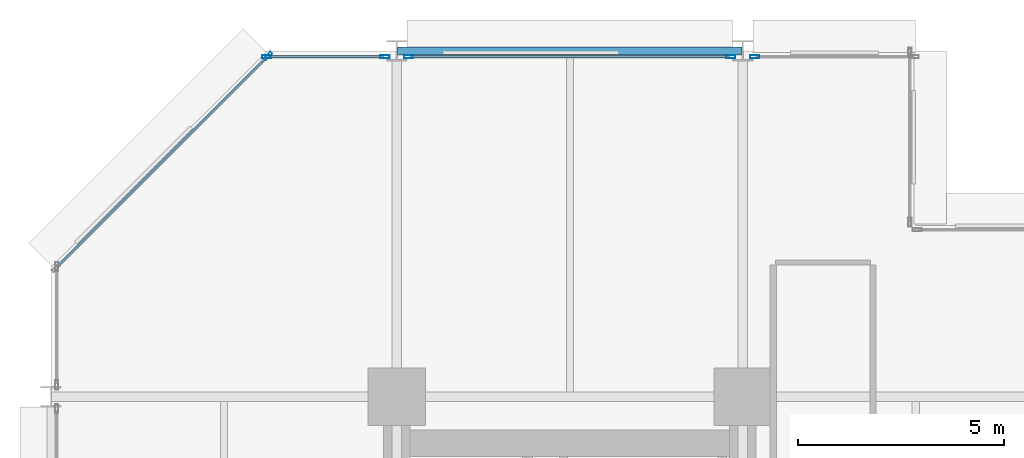
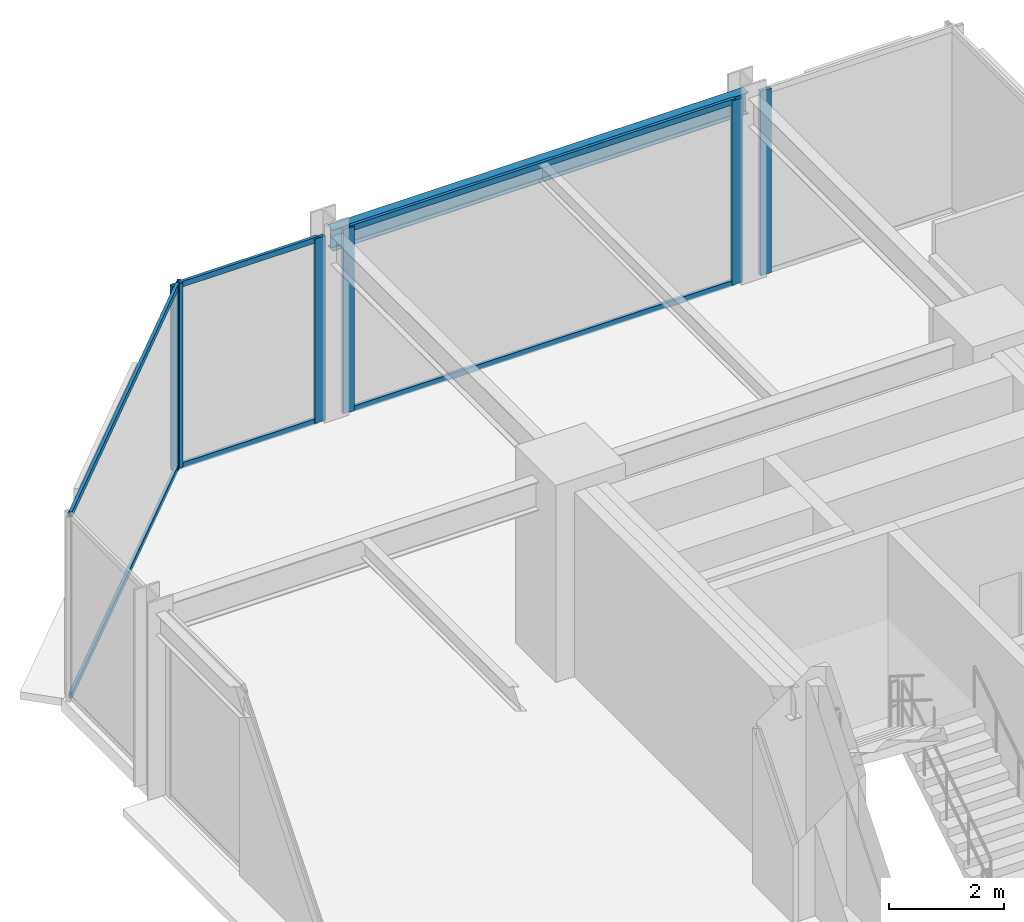
# One storey, part 17 of 25: 12 members, 1 beam, 4 elements without a shape of their own.
"""IFC4 building model written with IfcOpenShell, lengths in metres."""

from ifc_helpers import new_model, si_unit, direction, frame, origin, origin_2d, place, context, subcontext, project, spatial, hollow_rectangle, i_section, extrude, material, layer, layer_set, material_profile, profile_set, type_object, element, aggregate, save


model = new_model("IFC4")

# Units and contexts
model_context = context("Model", 3, precision=1e-05, world=origin(), true_north=direction((0.0, 1.0)))
body_context = subcontext(model_context, "Body", "Model", "MODEL_VIEW")
ifc_project = project(units=[si_unit("LENGTHUNIT", "METRE"), si_unit("AREAUNIT", "SQUARE_METRE"), si_unit("VOLUMEUNIT", "CUBIC_METRE"), si_unit("PLANEANGLEUNIT", "RADIAN"), si_unit("MASSUNIT", "GRAM", prefix="KILO")], contexts=[model_context])

# Site, building, storey
site_placement = place(None, origin())
site = spatial("IfcSite", under=ifc_project, at=site_placement, CompositionType="ELEMENT")
building_placement = place(site_placement, origin())
building = spatial("IfcBuilding", under=site, at=building_placement, Name="Nerrivon Quay Data Exchange", CompositionType="ELEMENT")
storey_placement = place(building_placement, frame((0.0, 0.0, 29.0)))
storey = spatial("IfcBuildingStorey", under=building, at=storey_placement, Name="L06", CompositionType="ELEMENT", Elevation=29.0)

# Beam
ifc_material_1 = material(Name="Steel Grade 350", Category="steel")
ifc_material_profile_1 = material_profile(ifc_material_1, i_section(OverallWidth=0.18994140625, OverallDepth=0.4541015625, WebThickness=0.008544921875, FlangeThickness=0.0126953125, FilletRadius=0.011474609375, at=origin_2d()), Name="460UB67.1")
ifc_profile_set_1 = profile_set([ifc_material_profile_1], Name="Steel Grade 350")
beam_type = type_object("IfcBeamType", Name="BM-SP1-460UB67", PredefinedType="SPANDREL", material=ifc_profile_set_1)
beam_placement = place(storey_placement, frame((8.4140625, 50.39990234375, 3.697998046875), z_axis=(1.0, 0.0, 0.0), x_axis=(0.0, 1.0, 0.0)))
element("IfcBeam", 1, at=beam_placement, inside=storey, type_object=beam_type, Name="L06 EW Girder Y=50.4 (8.4..16.8)", PredefinedType="SPANDREL", context=body_context, shape_type="SweptSolid", body=[
    extrude(i_section(OverallWidth=0.18994140625, OverallDepth=0.4541015625, WebThickness=0.008544921875, FlangeThickness=0.0126953125, FilletRadius=0.011474609375, at=origin_2d()), origin(), (0.0, 0.0, 1.0), 8.371826171875),
])

# Curtain wall, member
ifc_material_2 = material(Name="Anodised aluminium 6063-T6", Category="aluminium")
ifc_layer = layer(ifc_material_2, 0.219970703125)
ifc_layer_set = layer_set([ifc_layer], Name="Anodised aluminium 6063-T6")
curtain_wall_type = type_object("IfcCurtainWallType", Name="CW-SYS-01", PredefinedType="NOTDEFINED", material=ifc_layer_set)
curtain_wall_1_placement = place(storey_placement, origin())
curtain_wall_1 = element("IfcCurtainWall", 2, at=curtain_wall_1_placement, inside=storey, type_object=curtain_wall_type, Name="L06 Unitised Curtain Wall 19", PredefinedType="NOTDEFINED")
ifc_material_profile_2 = material_profile(ifc_material_2, hollow_rectangle(XDim=0.074951171875, YDim=0.219970703125, WallThickness=0.00390625, at=origin_2d()), Name="ALU-MULL-220x75")
ifc_profile_set_2 = profile_set([ifc_material_profile_2], Name="Anodised aluminium 6063-T6")
member_type_1 = type_object("IfcMemberType", Name="CWM-220x75", PredefinedType="MULLION", material=ifc_profile_set_2)
member_1_placement = place(storey_placement, frame((5.2724609375, 50.2744140625, 0.0), z_axis=(0.0, 0.0, 1.0), x_axis=(-0.707106781187, 0.707106781187, 0.0)))
member_1 = element("IfcMember", 3, at=member_1_placement, type_object=member_type_1, Name="CW01 mullion 2", PredefinedType="MULLION", context=body_context, shape_type="SweptSolid", body=[
    extrude(hollow_rectangle(XDim=0.074951171875, YDim=0.219970703125, WallThickness=0.00390625, at=origin_2d()), origin(), (0.0, 0.0, 1.0), 3.925048828125),
])

# Curtain wall, members
curtain_wall_2_placement = place(storey_placement, origin())
curtain_wall_2 = element("IfcCurtainWall", 4, at=curtain_wall_2_placement, inside=storey, type_object=curtain_wall_type, Name="L06 Unitised Curtain Wall 20", PredefinedType="NOTDEFINED")
member_2_placement = place(storey_placement, frame((5.237548828125, 50.260009765625, 0.0), z_axis=(0.0, 0.0, 1.0), x_axis=(0.0, 1.0, 0.0)))
member_2 = element("IfcMember", 5, at=member_2_placement, type_object=member_type_1, Name="CW01 mullion 1", PredefinedType="MULLION", context=body_context, shape_type="SweptSolid", body=[
    extrude(hollow_rectangle(XDim=0.074951171875, YDim=0.219970703125, WallThickness=0.00390625, at=origin_2d()), origin(), (0.0, 0.0, 1.0), 3.925048828125),
])
member_3_placement = place(storey_placement, frame((8.112548828125, 50.260009765625, 0.0), z_axis=(0.0, 0.0, 1.0), x_axis=(0.0, 1.0, 0.0)))
member_3 = element("IfcMember", 6, at=member_3_placement, type_object=member_type_1, Name="CW01 mullion 2", PredefinedType="MULLION", context=body_context, shape_type="SweptSolid", body=[
    extrude(hollow_rectangle(XDim=0.074951171875, YDim=0.219970703125, WallThickness=0.00390625, at=origin_2d()), origin(), (0.0, 0.0, 1.0), 3.925048828125),
])

curtain_wall_3_placement = place(storey_placement, origin())
curtain_wall_3 = element("IfcCurtainWall", 7, at=curtain_wall_3_placement, inside=storey, type_object=curtain_wall_type, Name="L06 Unitised Curtain Wall 21", PredefinedType="NOTDEFINED")
member_4_placement = place(storey_placement, frame((8.6875, 50.260009765625, 0.0), z_axis=(0.0, 0.0, 1.0), x_axis=(0.0, 1.0, 0.0)))
member_4 = element("IfcMember", 8, at=member_4_placement, type_object=member_type_1, Name="CW01 mullion 1", PredefinedType="MULLION", context=body_context, shape_type="SweptSolid", body=[
    extrude(hollow_rectangle(XDim=0.074951171875, YDim=0.219970703125, WallThickness=0.00390625, at=origin_2d()), origin(), (0.0, 0.0, 1.0), 3.925048828125),
])
member_5_placement = place(storey_placement, frame((16.512451171875, 50.260009765625, 0.0), z_axis=(0.0, 0.0, 1.0), x_axis=(0.0, 1.0, 0.0)))
member_5 = element("IfcMember", 9, at=member_5_placement, type_object=member_type_1, Name="CW01 mullion 2", PredefinedType="MULLION", context=body_context, shape_type="SweptSolid", body=[
    extrude(hollow_rectangle(XDim=0.074951171875, YDim=0.219970703125, WallThickness=0.00390625, at=origin_2d()), origin(), (0.0, 0.0, 1.0), 3.925048828125),
])

# Curtain wall, member
curtain_wall_4_placement = place(storey_placement, origin())
curtain_wall_4 = element("IfcCurtainWall", 10, at=curtain_wall_4_placement, inside=storey, type_object=curtain_wall_type, Name="L06 Unitised Curtain Wall 22", PredefinedType="NOTDEFINED")
member_6_placement = place(storey_placement, frame((17.08740234375, 50.260009765625, 0.0), z_axis=(0.0, 0.0, 1.0), x_axis=(0.0, 1.0, 0.0)))
member_6 = element("IfcMember", 11, at=member_6_placement, type_object=member_type_1, Name="CW01 mullion 1", PredefinedType="MULLION", context=body_context, shape_type="SweptSolid", body=[
    extrude(hollow_rectangle(XDim=0.074951171875, YDim=0.219970703125, WallThickness=0.00390625, at=origin_2d()), origin(), (0.0, 0.0, 1.0), 3.925048828125),
])
aggregate(curtain_wall_4, [member_6])

# Member
ifc_material_profile_3 = material_profile(ifc_material_2, hollow_rectangle(XDim=0.06005859375, YDim=0.1201171875, WallThickness=0.003173828125, at=origin_2d()), Name="ALU-TRAN-120x60")
ifc_profile_set_3 = profile_set([ifc_material_profile_3], Name="Anodised aluminium 6063-T6")
member_type_2 = type_object("IfcMemberType", Name="CWT-120x60", PredefinedType="USERDEFINED", material=ifc_profile_set_3)
member_7_placement = place(storey_placement, frame((0.152099609375, 45.154052734375, 0.032470703125), z_axis=(0.707089835771, 0.707123726196, 0.0), x_axis=(-0.707123726196, 0.707089835771, 0.0)))
member_7 = element("IfcMember", 12, at=member_7_placement, type_object=member_type_2, Name="CW01 transom 1.1", ObjectType="TRANSOM", PredefinedType="USERDEFINED", context=body_context, shape_type="SweptSolid", body=[
    extrude(hollow_rectangle(XDim=0.06005859375, YDim=0.1201171875, WallThickness=0.003173828125, at=origin_2d()), origin(), (0.0, 0.0, 1.0), 7.203857421875),
])

member_8_placement = place(storey_placement, frame((0.152099609375, 45.154052734375, 3.892578125), z_axis=(0.707089835771, 0.707123726196, 0.0), x_axis=(-0.707123726196, 0.707089835771, 0.0)))
member_8 = element("IfcMember", 13, at=member_8_placement, type_object=member_type_2, Name="CW01 transom 1.2", ObjectType="TRANSOM", PredefinedType="USERDEFINED", context=body_context, shape_type="SweptSolid", body=[
    extrude(hollow_rectangle(XDim=0.06005859375, YDim=0.1201171875, WallThickness=0.003173828125, at=origin_2d()), origin(), (0.0, 0.0, 1.0), 7.203857421875),
])

aggregate(curtain_wall_1, [member_1, member_7, member_8])

member_9_placement = place(storey_placement, frame((5.27490234375, 50.260009765625, 0.032470703125), z_axis=(1.0, 0.0, 0.0), x_axis=(0.0, 1.0, 0.0)))
member_9 = element("IfcMember", 14, at=member_9_placement, type_object=member_type_2, Name="CW01 transom 1.1", ObjectType="TRANSOM", PredefinedType="USERDEFINED", context=body_context, shape_type="SweptSolid", body=[
    extrude(hollow_rectangle(XDim=0.06005859375, YDim=0.1201171875, WallThickness=0.003173828125, at=origin_2d()), origin(), (0.0, 0.0, 1.0), 2.800048828125),
])

member_10_placement = place(storey_placement, frame((5.27490234375, 50.260009765625, 3.892578125), z_axis=(1.0, 0.0, 0.0), x_axis=(0.0, 1.0, 0.0)))
member_10 = element("IfcMember", 15, at=member_10_placement, type_object=member_type_2, Name="CW01 transom 1.2", ObjectType="TRANSOM", PredefinedType="USERDEFINED", context=body_context, shape_type="SweptSolid", body=[
    extrude(hollow_rectangle(XDim=0.06005859375, YDim=0.1201171875, WallThickness=0.003173828125, at=origin_2d()), origin(), (0.0, 0.0, 1.0), 2.800048828125),
])

aggregate(curtain_wall_2, [member_2, member_3, member_9, member_10])

member_11_placement = place(storey_placement, frame((8.72509765625, 50.260009765625, 0.032470703125), z_axis=(1.0, 0.0, 0.0), x_axis=(0.0, 1.0, 0.0)))
member_11 = element("IfcMember", 16, at=member_11_placement, type_object=member_type_2, Name="CW01 transom 1.1", ObjectType="TRANSOM", PredefinedType="USERDEFINED", context=body_context, shape_type="SweptSolid", body=[
    extrude(hollow_rectangle(XDim=0.06005859375, YDim=0.1201171875, WallThickness=0.003173828125, at=origin_2d()), origin(), (0.0, 0.0, 1.0), 7.75),
])

member_12_placement = place(storey_placement, frame((8.72509765625, 50.260009765625, 3.892578125), z_axis=(1.0, 0.0, 0.0), x_axis=(0.0, 1.0, 0.0)))
member_12 = element("IfcMember", 17, at=member_12_placement, type_object=member_type_2, Name="CW01 transom 1.2", ObjectType="TRANSOM", PredefinedType="USERDEFINED", context=body_context, shape_type="SweptSolid", body=[
    extrude(hollow_rectangle(XDim=0.06005859375, YDim=0.1201171875, WallThickness=0.003173828125, at=origin_2d()), origin(), (0.0, 0.0, 1.0), 7.75),
])

aggregate(curtain_wall_3, [member_4, member_5, member_11, member_12])

save(model, "model.ifc")
